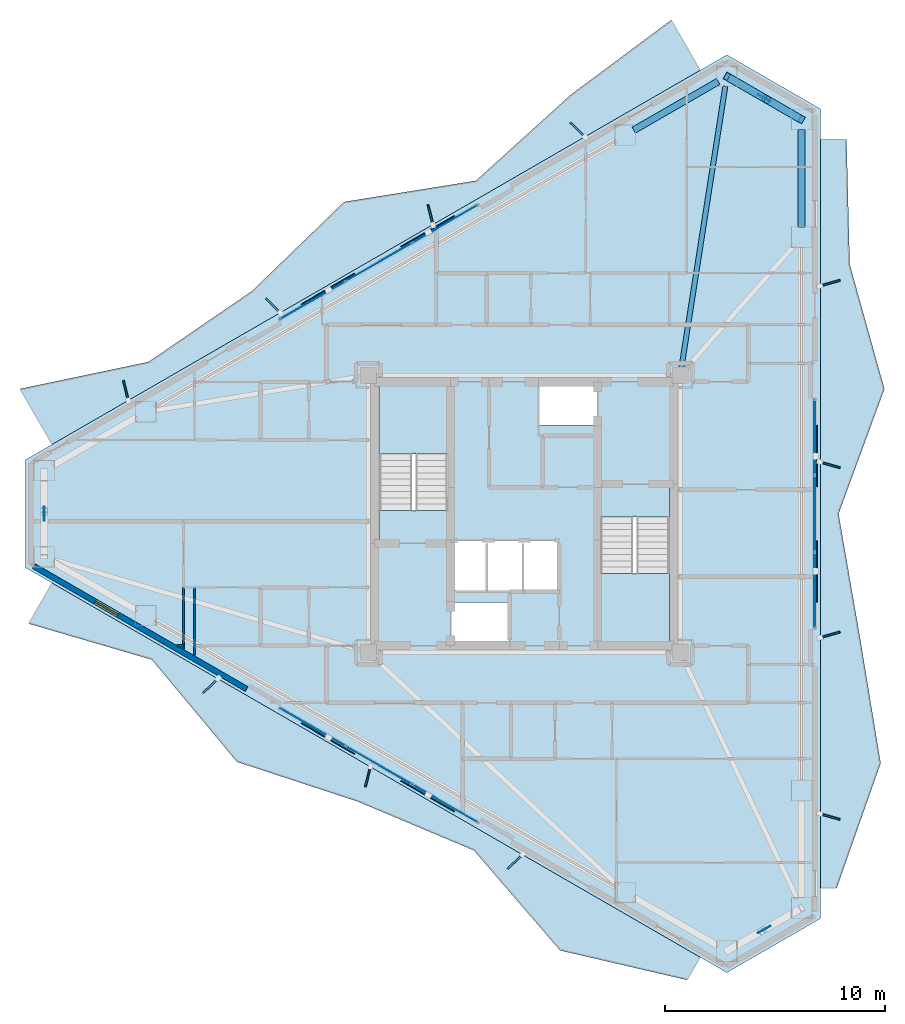
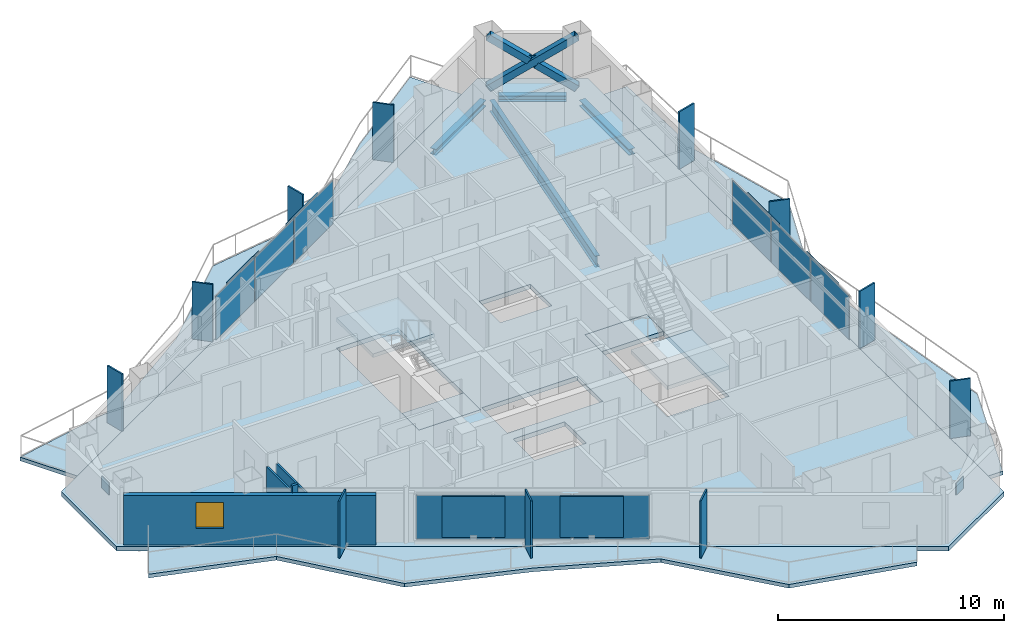
# One storey, part 11 of 19: 29 plates, 8 slabs, 4 beams, 4 walls, 3 members, 1 window, 1 opening, 5 elements without a shape of their own.
"""IFC4 building model written with IfcOpenShell, lengths in metres."""

import ifcopenshell
import ifcopenshell.guid

model = None  # the IFC model being written
_history = None  # IfcOwnerHistory: only IFC2X3 demands one
_inside = {}  # id of a spatial element -> (the spatial element, [elements in it])
_under = {}  # id of a project, library or spatial element -> (it, [spatial elements below it])
_declared = {}  # id of a project -> (the project, [libraries it declares])
_typed = {}  # id of a type object -> (the type object, [elements of that type])
_made_of = {}  # id of a material, layer set ... -> (it, [elements and type objects made of it])


def new_model(schema):
    """Start an empty IFC model of exactly this schema.

    Asked for "IFC4X3", IfcOpenShell would pick the latest addendum, in which some entities
    have other attributes; the version numbers below select the first issue.
    IFC2X3 requires an IfcOwnerHistory on every rooted entity: one is made here for all.
    """
    global model, _history
    if schema == "IFC4X3":
        model = ifcopenshell.file(schema_version=(4, 3, 0, 0))
    else:
        model = ifcopenshell.file(schema=schema)
    _inside.clear()
    _under.clear()
    _declared.clear()
    _typed.clear()
    _made_of.clear()
    _history = None
    if model.schema == "IFC2X3":
        org = make("IfcOrganization", Name="unknown")
        user = make(
            "IfcPersonAndOrganization",
            ThePerson=make("IfcPerson", FamilyName="unknown"),
            TheOrganization=org,
        )
        app = make(
            "IfcApplication",
            ApplicationDeveloper=org,
            Version="unknown",
            ApplicationFullName="unknown",
            ApplicationIdentifier="unknown",
        )
        _history = make(
            "IfcOwnerHistory",
            OwningUser=user,
            OwningApplication=app,
            ChangeAction="ADDED",
            CreationDate=0,
        )
    return model


def make(cls, **values):
    """One entity of the class cls with the attributes given. An attribute that is None is left unset."""
    return model.create_entity(
        cls, **{name: value for name, value in values.items() if value is not None}
    )


def rooted(cls, **values):
    """An entity with a GlobalId (a new one), such as an element, a storey or a relation."""
    return make(cls, GlobalId=ifcopenshell.guid.new(), OwnerHistory=_history, **values)


def si_unit(unit_type, name, prefix=None):
    """IfcSIUnit, for example si_unit("LENGTHUNIT", "METRE", prefix="MILLI")."""
    return make("IfcSIUnit", UnitType=unit_type, Prefix=prefix, Name=name)


def assignment(units):
    """IfcUnitAssignment: the units of a project."""
    return None if units is None else make("IfcUnitAssignment", Units=units)


def point(xyz):
    """IfcCartesianPoint."""
    return None if xyz is None else make("IfcCartesianPoint", Coordinates=xyz)


def direction(xyz):
    """IfcDirection."""
    return None if xyz is None else make("IfcDirection", DirectionRatios=xyz)


def frame(location, z_axis=None, x_axis=None):
    """IfcAxis2Placement3D, a coordinate frame: its origin and axes. An axis left out is left unset."""
    return make(
        "IfcAxis2Placement3D",
        Location=point(location),
        Axis=direction(z_axis),
        RefDirection=direction(x_axis),
    )


def frame_2d(location, x_axis=None):
    """IfcAxis2Placement2D, a coordinate frame in the plane: its origin and x axis."""
    return make(
        "IfcAxis2Placement2D", Location=point(location), RefDirection=direction(x_axis)
    )


def origin():
    """The frame at (0, 0, 0) with its axes left unset."""
    return frame((0.0, 0.0, 0.0))


def origin_2d():
    """The frame at (0, 0) in the plane with its x axis left unset."""
    return frame_2d((0.0, 0.0))


def place(relative_to, where):
    """IfcLocalPlacement: puts the frame where relative to a parent placement (None: the world)."""
    return make(
        "IfcLocalPlacement", PlacementRelTo=relative_to, RelativePlacement=where
    )


def context(
    kind, dimensions, precision=None, world=None, true_north=None, identifier=None
):
    """IfcGeometricRepresentationContext, for example the 3D "Model" context."""
    return make(
        "IfcGeometricRepresentationContext",
        ContextIdentifier=identifier,
        ContextType=kind,
        CoordinateSpaceDimension=dimensions,
        Precision=precision,
        WorldCoordinateSystem=world,
        TrueNorth=true_north,
    )


def subcontext(parent, identifier, kind, view, scale=None):
    """IfcGeometricRepresentationSubContext, for example "Body" below "Model"."""
    return make(
        "IfcGeometricRepresentationSubContext",
        ContextIdentifier=identifier,
        ContextType=kind,
        ParentContext=parent,
        TargetScale=scale,
        TargetView=view,
    )


def project(units=None, contexts=None):
    """IfcProject with its units and contexts."""
    return rooted(
        "IfcProject",
        Name="project",
        RepresentationContexts=contexts,
        UnitsInContext=assignment(units),
    )


def spatial(cls, under=None, at=None, **own):
    """A site, building, storey or space (cls), placed at a placement, below another one or the project."""
    s = rooted(cls, ObjectPlacement=at, **own)
    if under is not None:
        _under.setdefault(under.id(), (under, []))[1].append(s)
    return s


def polyline(points):
    """IfcPolyline through the points."""
    return make("IfcPolyline", Points=[point(p) for p in points])


def profile(cls, at=None, kind="AREA", **sizes):
    """A parametric profile (cls). Its sizes go by their IFC names, for example OverallWidth=200.0."""
    return make(cls, ProfileType=kind, Position=at, **sizes)


def rectangle(**sizes):
    """IfcRectangleProfileDef."""
    return profile("IfcRectangleProfileDef", **sizes)


def hollow_rectangle(**sizes):
    """IfcRectangleHollowProfileDef."""
    return profile("IfcRectangleHollowProfileDef", **sizes)


def i_section(**sizes):
    """IfcIShapeProfileDef."""
    return profile("IfcIShapeProfileDef", **sizes)


def outline(outer, holes=None, kind="AREA"):
    """IfcArbitraryClosedProfileDef: a profile drawn as a closed curve; with holes, ...WithVoids."""
    if holes is None:
        return make("IfcArbitraryClosedProfileDef", ProfileType=kind, OuterCurve=outer)
    return make(
        "IfcArbitraryProfileDefWithVoids",
        ProfileType=kind,
        OuterCurve=outer,
        InnerCurves=holes,
    )


def extrude(swept, where, along, depth):
    """IfcExtrudedAreaSolid: the profile swept, set in the frame where, extruded along a direction by depth."""
    return make(
        "IfcExtrudedAreaSolid",
        SweptArea=swept,
        Position=where,
        ExtrudedDirection=direction(along),
        Depth=depth,
    )


def shape(context_of_items, identifier, shape_type, items):
    """IfcShapeRepresentation: the items that make up one representation, for example the "Body"."""
    return make(
        "IfcShapeRepresentation",
        ContextOfItems=context_of_items,
        RepresentationIdentifier=identifier,
        RepresentationType=shape_type,
        Items=items,
    )


def material(Name=None, Category=None):
    """IfcMaterial."""
    return make("IfcMaterial", Name=Name, Category=Category)


def layer(
    of_material, thickness, ventilated=None, Name=None, Category=None, Priority=None
):
    """IfcMaterialLayer: one layer of a wall or slab, of a material (None: an air gap)."""
    return make(
        "IfcMaterialLayer",
        Material=of_material,
        LayerThickness=thickness,
        IsVentilated=ventilated,
        Name=Name,
        Category=Category,
        Priority=Priority,
    )


def layer_set(layers, Name=None):
    """IfcMaterialLayerSet."""
    return make("IfcMaterialLayerSet", MaterialLayers=layers, LayerSetName=Name)


def material_profile(
    of_material, cross_section, Name=None, Category=None, Priority=None
):
    """IfcMaterialProfile: a cross section and its material."""
    return make(
        "IfcMaterialProfile",
        Name=Name,
        Material=of_material,
        Profile=cross_section,
        Priority=Priority,
        Category=Category,
    )


def profile_set(profiles, Name=None, composite=None):
    """IfcMaterialProfileSet."""
    return make(
        "IfcMaterialProfileSet",
        Name=Name,
        MaterialProfiles=profiles,
        CompositeProfile=composite,
    )


def made_of(thing, what):
    """Note that an element or type object is made of a material, layer set ...; save() writes the relation."""
    if what is not None:
        _made_of.setdefault(what.id(), (what, []))[1].append(thing)
    return thing


def type_object(cls, material=None, **own):
    """A type object (cls), such as IfcWallType, which elements share."""
    return made_of(rooted(cls, **own), material)


def element(
    cls,
    number,
    at=None,
    inside=None,
    cuts=None,
    type_object=None,
    material=None,
    context=None,
    identifier="Body",
    shape_type=None,
    held_by="IfcProductDefinitionShape",
    body=None,
    shapes=None,
    **own,
):
    """One element of the class cls, such as IfcWall. Its Tag is "e" and its number.

    at: its placement. inside: the storey or other place that contains it. cuts: it is an
    opening in that element (IfcRelVoidsElement). A single representation is given by context,
    identifier, shape_type and body (its items); several are given by shapes. held_by: the class
    of the entity that holds the representations. save() writes the other relations.
    """
    e = rooted(cls, Tag="e%d" % number, ObjectPlacement=at, **own)
    if body is not None:
        shapes = [shape(context, identifier, shape_type, body)]
    if shapes is not None:
        e.Representation = make(held_by, Representations=shapes)
    if inside is not None:
        _inside.setdefault(inside.id(), (inside, []))[1].append(e)
    if cuts is not None:
        rooted(
            "IfcRelVoidsElement", RelatingBuildingElement=cuts, RelatedOpeningElement=e
        )
    if type_object is not None:
        _typed.setdefault(type_object.id(), (type_object, []))[1].append(e)
    return made_of(e, material)


def fill(opening, filler):
    """IfcRelFillsElement: the door or window that sits in an opening."""
    return rooted(
        "IfcRelFillsElement",
        RelatingOpeningElement=opening,
        RelatedBuildingElement=filler,
    )


def aggregate(whole, parts):
    """IfcRelAggregates: a whole, such as a stair, and the parts it consists of."""
    return rooted("IfcRelAggregates", RelatingObject=whole, RelatedObjects=parts)


def save(model, path):
    """Write the relations noted so far, then the file.

    IfcRelAggregates (storeys below a building ...), IfcRelContainedInSpatialStructure (elements
    in a storey), IfcRelDefinesByType, IfcRelAssociatesMaterial and IfcRelDeclares: one each for
    every whole, place, type object, material and project.
    """
    for whole, parts in _under.values():
        aggregate(whole, parts)
    for where, things in _inside.values():
        rooted(
            "IfcRelContainedInSpatialStructure",
            RelatedElements=things,
            RelatingStructure=where,
        )
    for kind, things in _typed.values():
        rooted("IfcRelDefinesByType", RelatedObjects=things, RelatingType=kind)
    for what, things in _made_of.values():
        rooted("IfcRelAssociatesMaterial", RelatedObjects=things, RelatingMaterial=what)
    for by, libraries in _declared.values():
        rooted("IfcRelDeclares", RelatingContext=by, RelatedDefinitions=libraries)
    model.write(path)


model = new_model("IFC4")

# Units and contexts
model_context = context("Model", 3, precision=1e-05, world=origin(), true_north=direction((0.0, 1.0)))
body_context = subcontext(model_context, "Body", "Model", "MODEL_VIEW")
ifc_project = project(units=[si_unit("LENGTHUNIT", "METRE"), si_unit("AREAUNIT", "SQUARE_METRE"), si_unit("VOLUMEUNIT", "CUBIC_METRE"), si_unit("PLANEANGLEUNIT", "RADIAN"), si_unit("MASSUNIT", "GRAM", prefix="KILO")], contexts=[model_context])

# Site, building, storey
site_placement = place(None, origin())
site = spatial("IfcSite", under=ifc_project, at=site_placement, CompositionType="ELEMENT")
building_placement = place(site_placement, origin())
building = spatial("IfcBuilding", under=site, at=building_placement, Name="Mersakhor Tower and Convention Hall", CompositionType="ELEMENT")
storey_placement = place(building_placement, frame((0.0, 0.0, 124.5)))
storey = spatial("IfcBuildingStorey", under=building, at=storey_placement, Name="L34", CompositionType="ELEMENT", Elevation=124.5)

# Beams
ifc_material_1 = material(Name="Steel S355", Category="steel")
ifc_material_profile_1 = material_profile(ifc_material_1, i_section(OverallWidth=0.22900390625, OverallDepth=0.6123046875, WebThickness=0.011962890625, FlangeThickness=0.01953125, at=origin_2d()), Name="UB 610x229x125")
ifc_profile_set_1 = profile_set([ifc_material_profile_1], Name="Steel S355")
beam_type_1 = type_object("IfcBeamType", Name="BM-PR-610", PredefinedType="BEAM", material=ifc_profile_set_1)
beam_1_placement = place(storey_placement, frame((36.15478515625, 33.40087890625, -0.546142578125), z_axis=(0.154111159783, 0.988053515975, 0.0), x_axis=(-0.988053515975, 0.154111159783, 0.0)))
element("IfcBeam", 1, at=beam_1_placement, inside=storey, type_object=beam_type_1, Name="L34 Primary Floor Girder FG-2", PredefinedType="BEAM", context=body_context, shape_type="SweptSolid", body=[
    extrude(i_section(OverallWidth=0.22900390625, OverallDepth=0.6123046875, WebThickness=0.011962890625, FlangeThickness=0.01953125, at=origin_2d()), origin(), (0.0, 0.0, 1.0), 12.94921875),
])
ifc_material_2 = material(Name="Steel S355", Category="steel")
ifc_material_profile_2 = material_profile(ifc_material_2, i_section(OverallWidth=0.30908203125, OverallDepth=0.320556640625, WebThickness=0.013916015625, FlangeThickness=0.021728515625, at=origin_2d()), Name="UC 305x305x137")
ifc_profile_set_2 = profile_set([ifc_material_profile_2], Name="Steel S355")
beam_type_2 = type_object("IfcBeamType", Name="BM-SPD-UC305", PredefinedType="SPANDREL", material=ifc_profile_set_2)
beam_2_placement = place(storey_placement, frame((33.986572265625, 44.200439453125, -0.400146484375), z_axis=(0.866038875684, 0.49997666526, 0.0), x_axis=(-0.49997666526, 0.866038875684, 0.0)))
element("IfcBeam", 2, at=beam_2_placement, inside=storey, type_object=beam_type_2, Name="L34 Perimeter Spandrel Beam SPB-03", PredefinedType="SPANDREL", context=body_context, shape_type="SweptSolid", body=[
    extrude(i_section(OverallWidth=0.30908203125, OverallDepth=0.320556640625, WebThickness=0.013916015625, FlangeThickness=0.021728515625, at=origin_2d()), origin(), (0.0, 0.0, 1.0), 4.433837890625),
])
beam_3_placement = place(storey_placement, frame((38.614501953125, 46.417236328125, -0.400146484375), z_axis=(0.86604667077, -0.499963162692, 0.0), x_axis=(0.499963162692, 0.86604667077, 0.0)))
element("IfcBeam", 3, at=beam_3_placement, inside=storey, type_object=beam_type_2, Name="L34 Perimeter Spandrel Beam SPB-04", PredefinedType="SPANDREL", context=body_context, shape_type="SweptSolid", body=[
    extrude(i_section(OverallWidth=0.30908203125, OverallDepth=0.320556640625, WebThickness=0.013916015625, FlangeThickness=0.021728515625, at=origin_2d()), origin(), (0.0, 0.0, 1.0), 3.014404296875),
])
beam_4_placement = place(storey_placement, frame((41.619140625, 44.2275390625, -0.400146484375), z_axis=(0.0, -1.0, 0.0), x_axis=(1.0, 0.0, 0.0)))
element("IfcBeam", 4, at=beam_4_placement, inside=storey, type_object=beam_type_2, Name="L34 Perimeter Spandrel Beam SPB-05", PredefinedType="SPANDREL", context=body_context, shape_type="SweptSolid", body=[
    extrude(i_section(OverallWidth=0.30908203125, OverallDepth=0.320556640625, WebThickness=0.013916015625, FlangeThickness=0.021728515625, at=origin_2d()), origin(), (0.0, 0.0, 1.0), 4.433837890625),
])

# Members
ifc_material_3 = material(Name="Steel S460", Category="steel")
ifc_material_profile_3 = material_profile(ifc_material_3, hollow_rectangle(XDim=0.35009765625, YDim=0.35009765625, WallThickness=0.02001953125, at=origin_2d()), Name="SHS 350x350x20")
ifc_profile_set_3 = profile_set([ifc_material_profile_3], Name="Steel S460")
member_type = type_object("IfcMemberType", Name="MB-BRC-SHS350", PredefinedType="BRACE", material=ifc_profile_set_3)
member_placement = place(storey_placement, frame((38.220458984375, 46.644775390625, 0.14990234375), z_axis=(0.70838533923, -0.408971551713, 0.575267312693), x_axis=(0.499986324622, 0.866033299124, 0.0)))
element("IfcMember", 5, at=member_placement, inside=storey, type_object=member_type, Name="L34 Chamfer Braced Frame Diagonal CB-1A", PredefinedType="BRACE", context=body_context, shape_type="SweptSolid", body=[
    extrude(hollow_rectangle(XDim=0.35009765625, YDim=0.35009765625, WallThickness=0.02001953125, at=origin_2d()), origin(), (0.0, 0.0, 1.0), 4.7978515625),
])
for number, where, z_axis, x_axis, name in (
    (6, (41.619140625, 44.6826171875, 0.14990234375), (-0.708364021879, 0.408986667212, 0.575282816143), (-0.500011469263, -0.866018781901, 0.0), "L34 Chamfer Braced Frame Diagonal CB-1B Lower Half"),
    (7, (39.782470703125, 45.742919921875, 1.6416015625), (-0.708409139881, 0.409012716899, 0.575208734242), (-0.500011469263, -0.866018781901, 0.0), "L34 Chamfer Braced Frame Diagonal CB-1B Upper Half"),
):
    element("IfcMember", number, at=place(storey_placement, frame(where, z_axis=z_axis, x_axis=x_axis)), inside=storey, type_object=member_type, Name=name, PredefinedType="BRACE", context=body_context, shape_type="SweptSolid", body=[
        extrude(hollow_rectangle(XDim=0.35009765625, YDim=0.35009765625, WallThickness=0.02001953125, at=origin_2d()), origin(), (0.0, 0.0, 1.0), 2.205078125),
    ])

# Curtain wall, plates
ifc_material_4 = material(Name="Dark solar low-E aluminium curtain wall", Category="aluminium")
ifc_layer_1 = layer(ifc_material_4, 0.169921875)
ifc_layer_set_1 = layer_set([ifc_layer_1], Name="Dark solar low-E aluminium curtain wall")
curtain_wall_type = type_object("IfcCurtainWallType", Name="CW-SYS-02", PredefinedType="USERDEFINED", material=ifc_layer_set_1)
curtain_wall_1_placement = place(storey_placement, origin())
curtain_wall_1 = element("IfcCurtainWall", 8, at=curtain_wall_1_placement, inside=storey, type_object=curtain_wall_type, Name="L34 Dark-Glass Curtain Wall F1-B2", ObjectType="CURTAIN WALL", PredefinedType="USERDEFINED")
ifc_material_5 = material(Name="Dark solar double glazing", Category="glass")
ifc_layer_2 = layer(ifc_material_5, 0.028076171875)
ifc_layer_set_2 = layer_set([ifc_layer_2], Name="Dark solar double glazing")
plate_type_1 = type_object("IfcPlateType", Name="CWP-GLZ-28", PredefinedType="CURTAIN_PANEL", material=ifc_layer_set_2)
plate_1_placement = place(storey_placement, frame((19.379638671875, 36.4599609375, 0.259765625), z_axis=(0.0, 0.0, 1.0), x_axis=(0.866030906807, 0.499990468363, 0.0)))
plate_1 = element("IfcPlate", 9, at=plate_1_placement, type_object=plate_type_1, Name="CW-02 panel 1.1", PredefinedType="CURTAIN_PANEL", context=body_context, shape_type="SweptSolid", body=[
    extrude(rectangle(XDim=3.3828125, YDim=0.028076171875, at=origin_2d()), origin(), (0.0, 0.0, 1.0), 2.360107421875),
])
plate_2_placement = place(storey_placement, frame((22.390380859375, 38.1982421875, 0.259765625), z_axis=(0.0, 0.0, 1.0), x_axis=(0.866030906807, 0.499990468363, 0.0)))
plate_2 = element("IfcPlate", 10, at=plate_2_placement, type_object=plate_type_1, Name="CW-02 panel 2.1", PredefinedType="CURTAIN_PANEL", context=body_context, shape_type="SweptSolid", body=[
    extrude(rectangle(XDim=3.42041015625, YDim=0.028076171875, at=origin_2d()), origin(), (0.0, 0.0, 1.0), 2.360107421875),
])
plate_3_placement = place(storey_placement, frame((25.401123046875, 39.9365234375, 0.259765625), z_axis=(0.0, 0.0, 1.0), x_axis=(0.866030906807, 0.499990468363, 0.0)))
plate_3 = element("IfcPlate", 11, at=plate_3_placement, type_object=plate_type_1, Name="CW-02 panel 3.1", PredefinedType="CURTAIN_PANEL", context=body_context, shape_type="SweptSolid", body=[
    extrude(rectangle(XDim=3.3828125, YDim=0.028076171875, at=origin_2d()), origin(), (0.0, 0.0, 1.0), 2.360107421875),
])
aggregate(curtain_wall_1, [plate_1, plate_2, plate_3])

curtain_wall_2_placement = place(storey_placement, origin())
curtain_wall_2 = element("IfcCurtainWall", 12, at=curtain_wall_2_placement, inside=storey, type_object=curtain_wall_type, Name="L34 Dark-Glass Curtain Wall F2-B2", ObjectType="CURTAIN WALL", PredefinedType="USERDEFINED")
plate_4_placement = place(storey_placement, frame((42.21923828125, 30.2265625, 0.259765625), z_axis=(0.0, 0.0, 1.0), x_axis=(0.0, -1.0, 0.0)))
plate_4 = element("IfcPlate", 13, at=plate_4_placement, type_object=plate_type_1, Name="CW-02 panel 1.1", PredefinedType="CURTAIN_PANEL", context=body_context, shape_type="SweptSolid", body=[
    extrude(rectangle(XDim=3.3828125, YDim=0.028076171875, at=origin_2d()), origin(), (0.0, 0.0, 1.0), 2.360107421875),
])
plate_5_placement = place(storey_placement, frame((42.21923828125, 26.75, 0.259765625), z_axis=(0.0, 0.0, 1.0), x_axis=(0.0, -1.0, 0.0)))
plate_5 = element("IfcPlate", 14, at=plate_5_placement, type_object=plate_type_1, Name="CW-02 panel 2.1", PredefinedType="CURTAIN_PANEL", context=body_context, shape_type="SweptSolid", body=[
    extrude(rectangle(XDim=3.42041015625, YDim=0.028076171875, at=origin_2d()), origin(), (0.0, 0.0, 1.0), 2.360107421875),
])
plate_6_placement = place(storey_placement, frame((42.21923828125, 23.2734375, 0.259765625), z_axis=(0.0, 0.0, 1.0), x_axis=(0.0, -1.0, 0.0)))
plate_6 = element("IfcPlate", 15, at=plate_6_placement, type_object=plate_type_1, Name="CW-02 panel 3.1", PredefinedType="CURTAIN_PANEL", context=body_context, shape_type="SweptSolid", body=[
    extrude(rectangle(XDim=3.3828125, YDim=0.028076171875, at=origin_2d()), origin(), (0.0, 0.0, 1.0), 2.360107421875),
])
aggregate(curtain_wall_2, [plate_4, plate_5, plate_6])

curtain_wall_3_placement = place(storey_placement, origin())
curtain_wall_3 = element("IfcCurtainWall", 16, at=curtain_wall_3_placement, inside=storey, type_object=curtain_wall_type, Name="L34 Dark-Glass Curtain Wall F3-B2", ObjectType="CURTAIN WALL", PredefinedType="USERDEFINED")
plate_7_placement = place(storey_placement, frame((25.401123046875, 13.5634765625, 0.259765625), z_axis=(0.0, 0.0, 1.0), x_axis=(-0.866030906807, 0.499990468363, 0.0)))
plate_7 = element("IfcPlate", 17, at=plate_7_placement, type_object=plate_type_1, Name="CW-02 panel 1.1", PredefinedType="CURTAIN_PANEL", context=body_context, shape_type="SweptSolid", body=[
    extrude(rectangle(XDim=3.3828125, YDim=0.028076171875, at=origin_2d()), origin(), (0.0, 0.0, 1.0), 2.360107421875),
])
plate_8_placement = place(storey_placement, frame((22.390380859375, 15.3017578125, 0.259765625), z_axis=(0.0, 0.0, 1.0), x_axis=(-0.866030906807, 0.499990468363, 0.0)))
plate_8 = element("IfcPlate", 18, at=plate_8_placement, type_object=plate_type_1, Name="CW-02 panel 2.1", PredefinedType="CURTAIN_PANEL", context=body_context, shape_type="SweptSolid", body=[
    extrude(rectangle(XDim=3.42041015625, YDim=0.028076171875, at=origin_2d()), origin(), (0.0, 0.0, 1.0), 2.360107421875),
])
plate_9_placement = place(storey_placement, frame((19.379638671875, 17.0400390625, 0.259765625), z_axis=(0.0, 0.0, 1.0), x_axis=(-0.866030906807, 0.499990468363, 0.0)))
plate_9 = element("IfcPlate", 19, at=plate_9_placement, type_object=plate_type_1, Name="CW-02 panel 3.1", PredefinedType="CURTAIN_PANEL", context=body_context, shape_type="SweptSolid", body=[
    extrude(rectangle(XDim=3.3828125, YDim=0.028076171875, at=origin_2d()), origin(), (0.0, 0.0, 1.0), 2.360107421875),
])
aggregate(curtain_wall_3, [plate_7, plate_8, plate_9])

# Plates
ifc_material_6 = material(Name="Ceramic-clad aluminium Zone 3 ochre-bronze", Category="aluminium")
ifc_material_7 = material(Name="Ceramic-clad aluminium Zone 1 cobalt-slate", Category="masonry")
ifc_layer_3 = layer(ifc_material_7, 0.080078125)
ifc_layer_set_3 = layer_set([ifc_layer_3], Name="Ceramic-clad aluminium Zone 1 cobalt-slate")
plate_type_2 = type_object("IfcPlateType", Name="PL-FIN-80", PredefinedType="USERDEFINED", material=ifc_layer_set_3)
for number, where, z_axis, x_axis, name in (
    (20, (10.8818359375, 32.3466796875, 0.0), (0.0, 0.0, 1.0), (-0.2419218956, 0.970295726276, 0.0), "L34 Zone 3 Coloured Brise-Soleil Fin F1-1"),
    (21, (17.58349609375, 36.215576171875, 0.0), (0.0, 0.0, 1.0), (-0.719339800339, 0.694658370459, 0.0), "L34 Zone 3 Coloured Brise-Soleil Fin F1-2"),
    (22, (24.73828125, 40.346435546875, 0.0), (0.0, 0.0, 1.0), (-0.2419218956, 0.970295726276, 0.0), "L34 Zone 3 Coloured Brise-Soleil Fin F1-3"),
    (23, (31.439697265625, 44.215576171875, 0.0), (0.0, 0.0, 1.0), (-0.719339800339, 0.694658370459, 0.0), "L34 Zone 3 Coloured Brise-Soleil Fin F1-4"),
    (24, (42.90576171875, 37.237548828125, 0.0), (0.0, 0.0, 1.0), (0.961261695938, 0.275637355817, 0.0), "L34 Zone 3 Coloured Brise-Soleil Fin F2-1"),
    (25, (42.90576171875, 28.9755859375, 0.0), (0.0, 0.0, 1.0), (0.961261695938, -0.275637355817, 0.0), "L34 Zone 3 Coloured Brise-Soleil Fin F2-2"),
    (26, (42.90576171875, 21.237548828125, 0.0), (0.0, 0.0, 1.0), (0.961261695938, 0.275637355817, 0.0), "L34 Zone 3 Coloured Brise-Soleil Fin F2-3"),
    (27, (42.90576171875, 12.9755859375, 0.0), (0.0, 0.0, 1.0), (0.961261695938, -0.275637355817, 0.0), "L34 Zone 3 Coloured Brise-Soleil Fin F2-4"),
    (28, (28.593505859375, 10.927734375, 0.0), (0.0, 0.0, 1.0), (-0.719339800339, -0.694658370459, 0.0), "L34 Zone 3 Coloured Brise-Soleil Fin F3-1"),
    (29, (21.89208984375, 14.796875, 0.0), (0.0, 0.0, 1.0), (-0.2419218956, -0.970295726276, 0.0), "L34 Zone 3 Coloured Brise-Soleil Fin F3-2"),
    (30, (14.737060546875, 18.927734375, 0.0), (0.0, 0.0, 1.0), (-0.719339800339, -0.694658370459, 0.0), "L34 Zone 3 Coloured Brise-Soleil Fin F3-3"),
):
    element("IfcPlate", number, at=place(storey_placement, frame(where, z_axis=z_axis, x_axis=x_axis)), inside=storey, type_object=plate_type_2, material=ifc_material_6, Name=name, ObjectType="FIN", PredefinedType="USERDEFINED", context=body_context, shape_type="SweptSolid", body=[
        extrude(rectangle(XDim=0.949951171875, YDim=0.080078125, at=origin_2d()), origin(), (0.0, 0.0, 1.0), 3.10009765625),
    ])
ifc_material_8 = material(Name="Steel S460", Category="steel")
ifc_layer_4 = layer(ifc_material_8, 0.0400390625)
ifc_layer_set_4 = layer_set([ifc_layer_4], Name="Steel S460")
plate_type_3 = type_object("IfcPlateType", Name="PL-GUSSET-40", PredefinedType="SHEET", material=ifc_layer_set_4)
for number, where, z_axis, x_axis, name in (
    (31, (39.919921875, 45.663818359375, 1.2099609375), (0.0, 0.0, 1.0), (-0.866025403784, 0.5, 0.0), "L34 X-Brace Crossing Gusset Node Plate"),
    (32, (39.919921875, 7.836181640625, 1.2099609375), (0.0, 0.0, 1.0), (0.866025403784, 0.5, 0.0), "L34 X-Brace Crossing Gusset Node Plate"),
    (33, (7.160400390625, 26.75, 1.2099609375), (0.0, 0.0, 1.0), (0.0, -1.0, 0.0), "L34 X-Brace Crossing Gusset Node Plate"),
):
    element("IfcPlate", number, at=place(storey_placement, frame(where, z_axis=z_axis, x_axis=x_axis)), inside=storey, type_object=plate_type_3, Name=name, PredefinedType="SHEET", context=body_context, shape_type="SweptSolid", body=[
        extrude(rectangle(XDim=0.639892578125, YDim=0.0400390625, at=origin_2d()), origin(), (0.0, 0.0, 1.0), 0.639892578125),
    ])
ifc_material_9 = material(Name="Perforated ceramic cobogo solar screen", Category="aluminium")
ifc_layer_5 = layer(ifc_material_9, 0.048095703125)
ifc_layer_set_5 = layer_set([ifc_layer_5], Name="Perforated ceramic cobogo solar screen")
plate_type_4 = type_object("IfcPlateType", Name="PL-SCR-48", PredefinedType="USERDEFINED", material=ifc_layer_set_5)
for number, where, z_axis, x_axis, name in (
    (34, (20.072998046875, 36.96875, 0.39990234375), (0.0, 0.0, 1.0), (0.866025403784, 0.5, 0.0), "L34 Perforated Ceramic Solar Screen F1-1"),
    (35, (24.61376953125, 39.59033203125, 0.39990234375), (0.0, 0.0, 1.0), (0.866025403784, 0.5, 0.0), "L34 Perforated Ceramic Solar Screen F1-2"),
    (36, (42.313232421875, 29.37158203125, 0.39990234375), (0.0, 0.0, 1.0), (0.0, -1.0, 0.0), "L34 Perforated Ceramic Solar Screen F2-1"),
    (37, (42.313232421875, 24.12841796875, 0.39990234375), (0.0, 0.0, 1.0), (0.0, -1.0, 0.0), "L34 Perforated Ceramic Solar Screen F2-2"),
    (38, (24.61376953125, 13.90966796875, 0.39990234375), (0.0, 0.0, 1.0), (-0.866025403784, 0.5, 0.0), "L34 Perforated Ceramic Solar Screen F3-1"),
    (39, (20.072998046875, 16.53125, 0.39990234375), (0.0, 0.0, 1.0), (-0.866025403784, 0.5, 0.0), "L34 Perforated Ceramic Solar Screen F3-2"),
):
    element("IfcPlate", number, at=place(storey_placement, frame(where, z_axis=z_axis, x_axis=x_axis)), inside=storey, type_object=plate_type_4, Name=name, ObjectType="SCREEN", PredefinedType="USERDEFINED", context=body_context, shape_type="SweptSolid", body=[
        extrude(rectangle(XDim=2.800048828125, YDim=0.048095703125, at=origin_2d()), origin(), (0.0, 0.0, 1.0), 2.22998046875),
    ])

# Slabs
ifc_material_10 = material(Name="Concrete C45/55", Category="concrete")
ifc_layer_6 = layer(ifc_material_10, 0.199951171875)
ifc_layer_set_6 = layer_set([ifc_layer_6], Name="Concrete C45/55")
slab_type_1 = type_object("IfcSlabType", Name="SL-BAL-200", PredefinedType="FLOOR", material=ifc_layer_set_6)
slab_1_placement = place(storey_placement, frame((0.0, 0.0, -0.199951171875)))
element("IfcSlab", 40, at=slab_1_placement, inside=storey, type_object=slab_type_1, Name="L34 Sinusoidal Balcony Slab Face 1", PredefinedType="FLOOR", context=body_context, shape_type="SweptSolid", body=[
    extrude(outline(polyline([(7.522705078125, 29.903076171875), (37.008056640625, 46.92626953125), (35.688232421875, 49.21240234375), (31.105712890625, 45.800537109375), (26.8046875, 41.9013671875), (20.80859375, 40.93798828125), (16.604248046875, 36.871337890625), (11.90673828125, 33.65869140625), (6.062744140625, 32.431884765625), (7.522705078125, 29.903076171875)])), origin(), (0.0, 0.0, 1.0), 0.199951171875),
])
slab_2_placement = place(storey_placement, frame((0.0, 0.0, -0.199951171875)))
element("IfcSlab", 41, at=slab_2_placement, inside=storey, type_object=slab_type_1, Name="L34 Sinusoidal Balcony Slab Face 2", PredefinedType="FLOOR", context=body_context, shape_type="SweptSolid", body=[
    extrude(outline(polyline([(42.46923828125, 43.773193359375), (42.46923828125, 9.726806640625), (43.21923828125, 9.726806640625), (45.2177734375, 15.401123046875), (44.283935546875, 21.07568359375), (43.302490234375, 26.75), (45.38916015625, 32.42431640625), (43.8095703125, 38.098876953125), (43.664306640625, 43.773193359375), (42.46923828125, 43.773193359375)])), origin(), (0.0, 0.0, 1.0), 0.199951171875),
])
slab_3_placement = place(storey_placement, frame((0.0, 0.0, -0.199951171875)))
element("IfcSlab", 42, at=slab_3_placement, inside=storey, type_object=slab_type_1, Name="L34 Sinusoidal Balcony Slab Face 3", PredefinedType="FLOOR", context=body_context, shape_type="SweptSolid", body=[
    extrude(outline(polyline([(37.008056640625, 6.57373046875), (7.522705078125, 23.596923828125), (6.45556640625, 21.74853515625), (12.06201171875, 20.1103515625), (15.930908203125, 15.462646484375), (21.43896484375, 13.65380859375), (26.7099609375, 11.434814453125), (30.6337890625, 6.882080078125), (36.41064453125, 5.538818359375), (37.008056640625, 6.57373046875)])), origin(), (0.0, 0.0, 1.0), 0.199951171875),
])
ifc_material_11 = material(Name="Concrete C40/50", Category="concrete")
ifc_layer_7 = layer(ifc_material_11, 0.239990234375)
ifc_layer_set_7 = layer_set([ifc_layer_7], Name="Concrete C40/50")
slab_type_2 = type_object("IfcSlabType", Name="SL-FLR-240", PredefinedType="FLOOR", material=ifc_layer_set_7)
slab_4_placement = place(storey_placement, frame((0.0, 0.0, -0.239990234375)))
element("IfcSlab", 43, at=slab_4_placement, inside=storey, type_object=slab_type_2, Name="L34 ST-1 Structural Stair Floor Landing", PredefinedType="LANDING", context=body_context, shape_type="SweptSolid", body=[
    extrude(outline(polyline([(25.550048828125, 25.39990234375), (25.550048828125, 26.89990234375), (22.39990234375, 26.89990234375), (22.39990234375, 25.39990234375), (25.550048828125, 25.39990234375)])), origin(), (0.0, 0.0, 1.0), 0.239990234375),
])
slab_5_placement = place(storey_placement, frame((0.0, 0.0, -0.239990234375)))
element("IfcSlab", 44, at=slab_5_placement, inside=storey, type_object=slab_type_2, Name="L34 ST-2 Structural Stair Floor Landing", PredefinedType="LANDING", context=body_context, shape_type="SweptSolid", body=[
    extrude(outline(polyline([(32.449951171875, 28.10009765625), (32.449951171875, 26.60009765625), (35.60009765625, 26.60009765625), (35.60009765625, 28.10009765625), (32.449951171875, 28.10009765625)])), origin(), (0.0, 0.0, 1.0), 0.239990234375),
])
slab_6_placement = place(storey_placement, frame((0.0, 0.0, -0.239990234375)))
element("IfcSlab", 45, at=slab_6_placement, inside=storey, type_object=slab_type_2, Name="Tower L34 Structural Floor Slab", PredefinedType="FLOOR", context=body_context, shape_type="SweptSolid", body=[
    extrude(outline(polyline([(6.310302734375, 29.202880859375), (38.220458984375, 47.626220703125), (42.46923828125, 45.17333984375), (42.46923828125, 8.32666015625), (38.220458984375, 5.873779296875), (6.310302734375, 24.297119140625), (6.310302734375, 29.202880859375)]), holes=[polyline([(25.550048828125, 25.39990234375), (25.550048828125, 32.699951171875), (22.39990234375, 32.699951171875), (22.39990234375, 25.39990234375), (25.550048828125, 25.39990234375)]), polyline([(32.449951171875, 28.10009765625), (32.449951171875, 20.800048828125), (35.60009765625, 20.800048828125), (35.60009765625, 28.10009765625), (32.449951171875, 28.10009765625)]), polyline([(25.679931640625, 20.820068359375), (25.679931640625, 22.719970703125), (28.320068359375, 22.719970703125), (28.320068359375, 20.820068359375), (25.679931640625, 20.820068359375)]), polyline([(29.679931640625, 30.780029296875), (29.679931640625, 32.679931640625), (32.320068359375, 32.679931640625), (32.320068359375, 30.780029296875), (29.679931640625, 30.780029296875)]), polyline([(25.679931640625, 23.25), (25.679931640625, 25.5), (30.570068359375, 25.5), (30.570068359375, 23.25), (25.679931640625, 23.25)])]), origin(), (0.0, 0.0, 1.0), 0.239990234375),
])

# Stair, slab
ifc_material_12 = material(Name="Concrete C45/55", Category="concrete")
stair_type = type_object("IfcStairType", Name="ST-TWR-20R", PredefinedType="HALF_TURN_STAIR", material=ifc_material_12)
stair_1_placement = place(storey_placement, origin())
stair_1 = element("IfcStair", 46, at=stair_1_placement, inside=storey, type_object=stair_type, Name="L34 Tower Protected Exit Stair ST-1", PredefinedType="HALF_TURN_STAIR")
ifc_material_13 = material(Name="Concrete C45/55", Category="concrete")
ifc_layer_8 = layer(ifc_material_13, 0.199951171875)
ifc_layer_set_8 = layer_set([ifc_layer_8], Name="Concrete C45/55")
slab_type_3 = type_object("IfcSlabType", Name="SL-LAND-200", PredefinedType="LANDING", material=ifc_layer_set_8)
slab_7_placement = place(storey_placement, frame((0.0, 0.0, 1.449951171875)))
slab_7 = element("IfcSlab", 47, at=slab_7_placement, type_object=slab_type_3, Name="ST-1 landing 1", PredefinedType="LANDING", context=body_context, shape_type="SweptSolid", body=[
    extrude(outline(polyline([(25.550048828125, 29.465087890625), (25.550048828125, 32.699951171875), (22.39990234375, 32.699951171875), (22.39990234375, 29.465087890625), (25.550048828125, 29.465087890625)])), origin(), (0.0, 0.0, 1.0), 0.199951171875),
])
aggregate(stair_1, [slab_7])

stair_2_placement = place(storey_placement, origin())
stair_2 = element("IfcStair", 48, at=stair_2_placement, inside=storey, type_object=stair_type, Name="L34 Tower Protected Exit Stair ST-2", PredefinedType="HALF_TURN_STAIR")
slab_8_placement = place(storey_placement, frame((0.0, 0.0, 1.449951171875)))
slab_8 = element("IfcSlab", 49, at=slab_8_placement, type_object=slab_type_3, Name="ST-2 landing 1", PredefinedType="LANDING", context=body_context, shape_type="SweptSolid", body=[
    extrude(outline(polyline([(32.449951171875, 24.034912109375), (32.449951171875, 20.800048828125), (35.60009765625, 20.800048828125), (35.60009765625, 24.034912109375), (32.449951171875, 24.034912109375)])), origin(), (0.0, 0.0, 1.0), 0.199951171875),
])
aggregate(stair_2, [slab_8])

# Wall, opening, window
ifc_material_14 = material(Name="Precast concrete C40/50", Category="concrete")
ifc_layer_9 = layer(ifc_material_14, 0.25)
ifc_layer_set_9 = layer_set([ifc_layer_9], Name="Precast concrete C40/50")
wall_type_1 = type_object("IfcWallType", Name="WL-EXT-250", PredefinedType="SOLIDWALL", material=ifc_layer_set_9)
wall_1_placement = place(storey_placement, frame((16.377685546875, 18.773193359375, 0.0), z_axis=(0.0, 0.0, 1.0), x_axis=(-0.866027848477, 0.499995765644, 0.0)))
wall_1 = element("IfcWall", 50, at=wall_1_placement, inside=storey, type_object=wall_type_1, Name="L34 Exterior Facade Wall F3-B3", PredefinedType="SOLIDWALL", context=body_context, shape_type="SweptSolid", body=[
    extrude(rectangle(XDim=11.18603515625, YDim=0.25, at=frame_2d((5.593017578125, 0.0))), origin(), (0.0, 0.0, 1.0), 2.679931640625),
])
opening_placement = place(wall_1_placement, frame((6.757080078125, 0.0, 0.89990234375)))
opening = element("IfcOpeningElement", 51, at=opening_placement, cuts=wall_1, Name="Opening W-01", PredefinedType="OPENING", context=body_context, shape_type="SweptSolid", body=[
    extrude(rectangle(XDim=1.199951171875, YDim=1.39990234375, at=frame_2d((0.60009765625, 0.699951171875))), frame((0.0, 0.135009765625, 0.0), z_axis=(0.0, -1.0, 0.0), x_axis=(1.0, 0.0, 0.0)), (0.0, 0.0, 1.0), 0.27001953125),
])
ifc_material_15 = material(Name="Dark solar low-E glazed aluminium window", Category="aluminium")
window_type = type_object("IfcWindowType", Name="WN-RES-120x150", PartitioningType="SINGLE_PANEL", PredefinedType="WINDOW", material=ifc_material_15)
window_placement = place(opening_placement, origin())
window = element("IfcWindow", 52, at=window_placement, inside=storey, type_object=window_type, Name="L34 Bedroom Facade Window F3-B3-1", OverallHeight=1.39990234375, OverallWidth=1.199951171875, PartitioningType="SINGLE_PANEL", PredefinedType="WINDOW", context=body_context, shape_type="SweptSolid", body=[
    extrude(rectangle(XDim=1.199951171875, YDim=1.39990234375, at=frame_2d((0.60009765625, 0.699951171875))), frame((0.0, 0.030029296875, 0.0), z_axis=(0.0, -1.0, 0.0), x_axis=(1.0, 0.0, 0.0)), (0.0, 0.0, 1.0), 0.06005859375),
])
fill(opening, window)

# Walls
ifc_material_16 = material(Name="Lightweight gypsum partition", Category="other")
ifc_layer_10 = layer(ifc_material_16, 0.10009765625)
ifc_layer_set_10 = layer_set([ifc_layer_10], Name="Lightweight gypsum partition")
wall_type_2 = type_object("IfcWallType", Name="WL-PRT-100", PredefinedType="PARTITIONING", material=ifc_layer_set_10)
wall_2_placement = place(storey_placement, frame((14.0, 20.318115234375, 0.0), z_axis=(0.0, 0.0, 1.0), x_axis=(0.0, 1.0, 0.0)))
element("IfcWall", 53, at=wall_2_placement, inside=storey, type_object=wall_type_2, Name="L34 Interior Partition Wall P-090", PredefinedType="PARTITIONING", context=body_context, shape_type="SweptSolid", body=[
    extrude(rectangle(XDim=3.081787109375, YDim=0.10009765625, at=frame_2d((1.541015625, 0.0))), origin(), (0.0, 0.0, 1.0), 2.364990234375),
])
wall_3_placement = place(storey_placement, frame((13.5, 23.39990234375, 0.0), z_axis=(0.0, 0.0, 1.0), x_axis=(0.0, -1.0, 0.0)))
element("IfcWall", 54, at=wall_3_placement, inside=storey, type_object=wall_type_2, Name="L34 Interior Partition Wall P-126", PredefinedType="PARTITIONING", context=body_context, shape_type="SweptSolid", body=[
    extrude(rectangle(XDim=2.793212890625, YDim=0.10009765625, at=frame_2d((1.396484375, 0.0))), origin(), (0.0, 0.0, 1.0), 2.364990234375),
])
ifc_material_17 = material(Name="Gypsum board acoustic partition", Category="other")
ifc_layer_11 = layer(ifc_material_17, 0.125)
ifc_layer_set_11 = layer_set([ifc_layer_11], Name="Gypsum board acoustic partition")
wall_type_3 = type_object("IfcWallType", Name="WL-PRT-125", PredefinedType="PARTITIONING", material=ifc_layer_set_11)
wall_4_placement = place(storey_placement, frame((13.5, 20.75, 0.0), z_axis=(0.0, 0.0, 1.0), x_axis=(-1.0, 0.0, 0.0)))
element("IfcWall", 55, at=wall_4_placement, inside=storey, type_object=wall_type_3, Name="L34 Interior Partition Wall P-127", PredefinedType="PARTITIONING", context=body_context, shape_type="SweptSolid", body=[
    extrude(rectangle(XDim=0.293212890625, YDim=0.125, at=frame_2d((0.146484375, 0.0))), origin(), (0.0, 0.0, 1.0), 3.06005859375),
])

save(model, "model.ifc")
